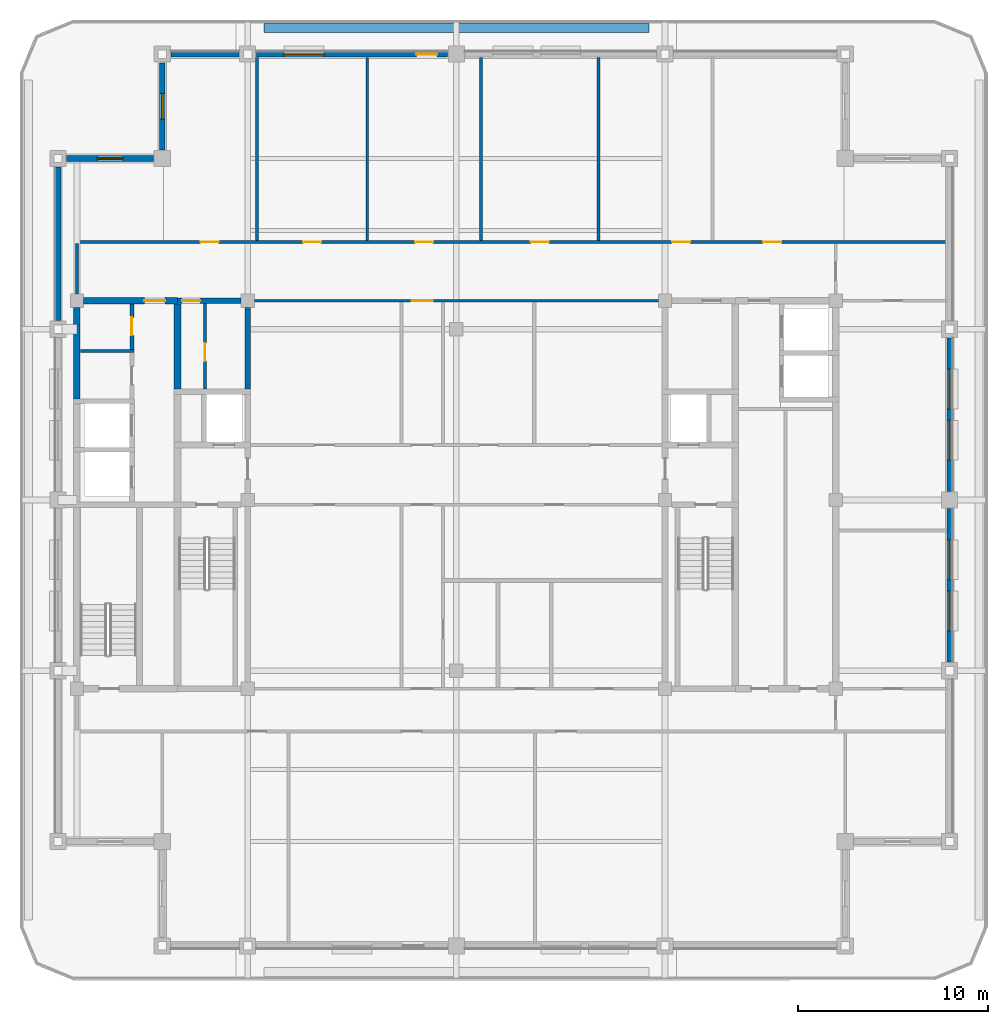
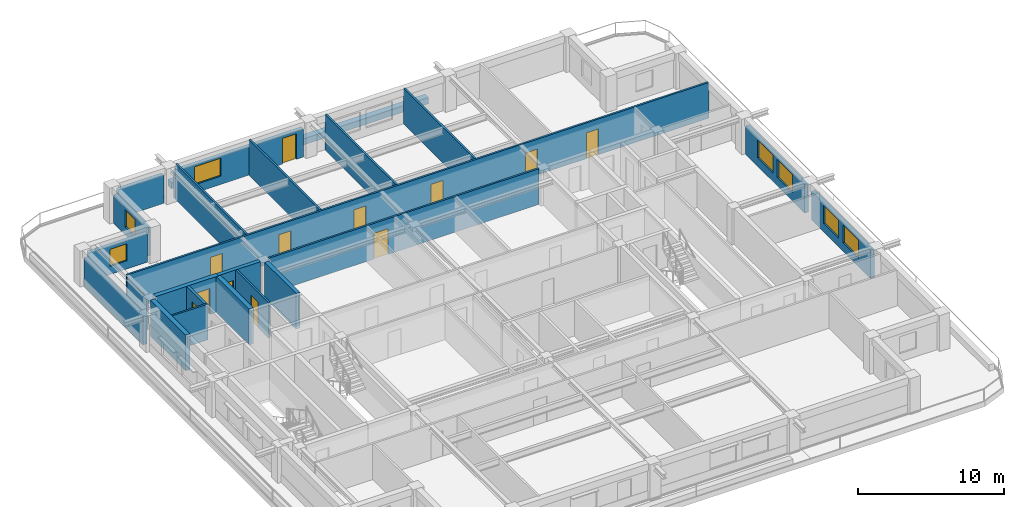
# One storey, part 5 of 11: 23 walls, 12 doors, 7 windows, 19 openings.
"""IFC4 building model written with IfcOpenShell, lengths in metres."""

from ifc_helpers import new_model, si_unit, direction, frame, frame_2d, origin, place, context, subcontext, project, spatial, rectangle, extrude, material, layer, layer_set, type_object, element, fill, save


model = new_model("IFC4")

# Units and contexts
model_context = context("Model", 3, precision=1e-05, world=origin(), true_north=direction((0.0, 1.0)))
body_context = subcontext(model_context, "Body", "Model", "MODEL_VIEW")
ifc_project = project(units=[si_unit("LENGTHUNIT", "METRE"), si_unit("AREAUNIT", "SQUARE_METRE"), si_unit("VOLUMEUNIT", "CUBIC_METRE"), si_unit("PLANEANGLEUNIT", "RADIAN"), si_unit("MASSUNIT", "GRAM", prefix="KILO")], contexts=[model_context])

# Site, building, storey
site_placement = place(None, origin())
site = spatial("IfcSite", under=ifc_project, at=site_placement, CompositionType="ELEMENT")
building_placement = place(site_placement, origin())
building = spatial("IfcBuilding", under=site, at=building_placement, Name="Zulmaris Gate Convention Tower", CompositionType="ELEMENT")
storey_placement = place(building_placement, frame((0.0, 0.0, 239.739990234375)))
storey = spatial("IfcBuildingStorey", under=building, at=storey_placement, Name="L63", CompositionType="ELEMENT", Elevation=239.739990234375)

# Wall, opening, door
ifc_material_1 = material(Name="Concrete C50/60", Category="concrete")
ifc_layer_1 = layer(ifc_material_1, 0.300048828125, Name="Concrete C50/60")
ifc_layer_set_1 = layer_set([ifc_layer_1], Name="Concrete C50/60")
wall_type_1 = type_object("IfcWallType", Name="CORE-300", PredefinedType="SHEAR", material=ifc_layer_set_1)
wall_1_placement = place(storey_placement, frame((-14.699951171875, 10.5, 0.0), z_axis=(0.0, 0.0, 1.0), x_axis=(1.0, 0.0, 0.0)))
wall_1 = element("IfcWall", 1, at=wall_1_placement, inside=storey, type_object=wall_type_1, Name="WL-L63-016", PredefinedType="SHEAR", context=body_context, shape_type="SweptSolid", body=[
    extrude(rectangle(XDim=3.345947265625, YDim=0.300048828125, at=frame_2d((1.6728515625, 0.0))), origin(), (0.0, 0.0, 1.0), 2.97998046875),
])
opening_1_placement = place(wall_1_placement, frame((0.2451171875, 0.0, 0.0)))
opening_1 = element("IfcOpeningElement", 2, at=opening_1_placement, cuts=wall_1, Name="Opening D-11", PredefinedType="OPENING", context=body_context, shape_type="SweptSolid", body=[
    extrude(rectangle(XDim=0.949951171875, YDim=2.14990234375, at=frame_2d((0.47509765625, 1.074951171875))), frame((0.0, 0.16015625, 0.0), z_axis=(0.0, -1.0, 0.0), x_axis=(1.0, 0.0, 0.0)), (0.0, 0.0, 1.0), 0.320068359375),
])
ifc_material_2 = material(Name="Fire-Rated Timber", Category="wood")
door_type_1 = type_object("IfcDoorType", Name="DR-950-FD", OperationType="NOTDEFINED", PredefinedType="DOOR", material=ifc_material_2)
door_1_placement = place(opening_1_placement, origin())
door_1 = element("IfcDoor", 3, at=door_1_placement, inside=storey, type_object=door_type_1, Name="L63 Core Mail Room Door 07", OperationType="SINGLE_SWING_RIGHT", OverallHeight=2.14990234375, OverallWidth=0.949951171875, PredefinedType="DOOR", context=body_context, shape_type="SweptSolid", body=[
    extrude(rectangle(XDim=0.949951171875, YDim=2.14990234375, at=frame_2d((0.47509765625, 1.074951171875))), frame((0.0, 0.02490234375, 0.0), z_axis=(0.0, -1.0, 0.0), x_axis=(1.0, 0.0, 0.0)), (0.0, 0.0, 1.0), 0.050048828125),
])
fill(opening_1, door_1)

# Wall
wall_2_placement = place(storey_placement, frame((-11.0, 5.85205078125, 0.0), z_axis=(0.0, 0.0, 1.0), x_axis=(0.0, 1.0, 0.0)))
element("IfcWall", 4, at=wall_2_placement, inside=storey, type_object=wall_type_1, Name="WL-L63-047", PredefinedType="SHEAR", context=body_context, shape_type="SweptSolid", body=[
    extrude(rectangle(XDim=4.2939453125, YDim=0.300048828125, at=frame_2d((2.14697265625, 0.0))), origin(), (0.0, 0.0, 1.0), 2.97998046875),
])

# Wall, opening, door
ifc_material_3 = material(Name="Concrete C55/67", Category="concrete")
ifc_layer_2 = layer(ifc_material_3, 0.35009765625, Name="Concrete C55/67")
ifc_layer_set_2 = layer_set([ifc_layer_2], Name="Concrete C55/67")
wall_type_2 = type_object("IfcWallType", Name="CORE-350", PredefinedType="SHEAR", material=ifc_layer_set_2)
wall_3_placement = place(storey_placement, frame((-19.64599609375, 10.5, 0.0), z_axis=(0.0, 0.0, 1.0), x_axis=(1.0, 0.0, 0.0)))
wall_3 = element("IfcWall", 5, at=wall_3_placement, inside=storey, type_object=wall_type_2, Name="WL-L63-015", PredefinedType="SHEAR", context=body_context, shape_type="SweptSolid", body=[
    extrude(rectangle(XDim=4.946044921875, YDim=0.35009765625, at=frame_2d((2.47314453125, 0.0))), origin(), (0.0, 0.0, 1.0), 2.97998046875),
])
opening_2_placement = place(wall_3_placement, frame((3.196044921875, 0.0, 0.0)))
opening_2 = element("IfcOpeningElement", 6, at=opening_2_placement, cuts=wall_3, Name="Opening D-08", PredefinedType="OPENING", context=body_context, shape_type="SweptSolid", body=[
    extrude(rectangle(XDim=1.10009765625, YDim=2.14990234375, at=frame_2d((0.550048828125, 1.074951171875))), frame((0.0, 0.18505859375, 0.0), z_axis=(0.0, -1.0, 0.0), x_axis=(1.0, 0.0, 0.0)), (0.0, 0.0, 1.0), 0.3701171875),
])
ifc_material_4 = material(Name="Fire-Rated Steel", Category="steel")
door_type_2 = type_object("IfcDoorType", Name="DR-1100-FD", OperationType="NOTDEFINED", PredefinedType="DOOR", material=ifc_material_4)
door_2_placement = place(opening_2_placement, origin())
door_2 = element("IfcDoor", 7, at=door_2_placement, inside=storey, type_object=door_type_2, Name="L63 High-Rise West Lift Lobby Door 13", OperationType="SINGLE_SWING_RIGHT", OverallHeight=2.14990234375, OverallWidth=1.10009765625, PredefinedType="DOOR", context=body_context, shape_type="SweptSolid", body=[
    extrude(rectangle(XDim=1.10009765625, YDim=2.14990234375, at=frame_2d((0.550048828125, 1.074951171875))), frame((0.0, 0.02490234375, 0.0), z_axis=(0.0, -1.0, 0.0), x_axis=(1.0, 0.0, 0.0)), (0.0, 0.0, 1.0), 0.050048828125),
])
fill(opening_2, door_2)

# Walls
wall_4_placement = place(storey_placement, frame((-20.0, 5.326904296875, 0.0), z_axis=(0.0, 0.0, 1.0), x_axis=(0.0, 1.0, 0.0)))
element("IfcWall", 8, at=wall_4_placement, inside=storey, type_object=wall_type_2, Name="WL-L63-034", PredefinedType="SHEAR", context=body_context, shape_type="SweptSolid", body=[
    extrude(rectangle(XDim=4.819091796875, YDim=0.35009765625, at=frame_2d((2.40966796875, 0.0))), origin(), (0.0, 0.0, 1.0), 2.97998046875),
])
wall_5_placement = place(storey_placement, frame((-14.699951171875, 5.85205078125, 0.0), z_axis=(0.0, 0.0, 1.0), x_axis=(0.0, 1.0, 0.0)))
element("IfcWall", 9, at=wall_5_placement, inside=storey, type_object=wall_type_2, Name="WL-L63-041", PredefinedType="SHEAR", context=body_context, shape_type="SweptSolid", body=[
    extrude(rectangle(XDim=4.470947265625, YDim=0.35009765625, at=frame_2d((2.2353515625, 0.0))), origin(), (0.0, 0.0, 1.0), 2.97998046875),
])
ifc_material_5 = material(Name="Gypsum Metal Stud Partition")
ifc_layer_3 = layer(ifc_material_5, 0.14990234375, Name="Gypsum Metal Stud Partition")
ifc_layer_set_3 = layer_set([ifc_layer_3], Name="Gypsum Metal Stud Partition")
wall_type_3 = type_object("IfcWallType", Name="PART-150", PredefinedType="PARTITIONING", material=ifc_layer_set_3)
wall_6_placement = place(storey_placement, frame((-19.822021484375, 7.85009765625, 0.0), z_axis=(0.0, 0.0, 1.0), x_axis=(1.0, 0.0, 0.0)))
element("IfcWall", 10, at=wall_6_placement, inside=storey, type_object=wall_type_3, Name="WL-L63-027", PredefinedType="PARTITIONING", context=body_context, shape_type="SweptSolid", body=[
    extrude(rectangle(XDim=2.822021484375, YDim=0.14990234375, at=frame_2d((1.4111328125, 0.0))), origin(), (0.0, 0.0, 1.0), 2.97998046875),
])

# Wall, opening, door
wall_7_placement = place(storey_placement, frame((-10.64404296875, 10.5, 0.0), z_axis=(0.0, 0.0, 1.0), x_axis=(1.0, 0.0, 0.0)))
wall_7 = element("IfcWall", 11, at=wall_7_placement, inside=storey, type_object=wall_type_3, Name="WL-L63-028", PredefinedType="PARTITIONING", context=body_context, shape_type="SweptSolid", body=[
    extrude(rectangle(XDim=21.2880859375, YDim=0.14990234375, at=frame_2d((10.64404296875, 0.0))), origin(), (0.0, 0.0, 1.0), 2.97998046875),
])
opening_3_placement = place(wall_7_placement, frame((8.2939453125, 0.0, 0.0)))
opening_3 = element("IfcOpeningElement", 12, at=opening_3_placement, cuts=wall_7, Name="Opening D-08", PredefinedType="OPENING", context=body_context, shape_type="SweptSolid", body=[
    extrude(rectangle(XDim=1.10009765625, YDim=2.14990234375, at=frame_2d((0.550048828125, 1.074951171875))), frame((0.0, 0.0849609375, 0.0), z_axis=(0.0, -1.0, 0.0), x_axis=(1.0, 0.0, 0.0)), (0.0, 0.0, 1.0), 0.169921875),
])
door_3_placement = place(opening_3_placement, origin())
door_3 = element("IfcDoor", 13, at=door_3_placement, inside=storey, type_object=door_type_2, Name="L63 Exec North Link Door 21", OperationType="SINGLE_SWING_RIGHT", OverallHeight=2.14990234375, OverallWidth=1.10009765625, PredefinedType="DOOR", context=body_context, shape_type="SweptSolid", body=[
    extrude(rectangle(XDim=1.10009765625, YDim=2.14990234375, at=frame_2d((0.550048828125, 1.074951171875))), frame((0.0, 0.02490234375, 0.0), z_axis=(0.0, -1.0, 0.0), x_axis=(1.0, 0.0, 0.0)), (0.0, 0.0, 1.0), 0.050048828125),
])
fill(opening_3, door_3)

# Wall, openings, doors
wall_8_placement = place(storey_placement, frame((-20.074951171875, 13.60009765625, 0.0), z_axis=(0.0, 0.0, 1.0), x_axis=(1.0, 0.0, 0.0)))
wall_8 = element("IfcWall", 14, at=wall_8_placement, inside=storey, type_object=wall_type_3, Name="WL-L63-030", PredefinedType="PARTITIONING", context=body_context, shape_type="SweptSolid", body=[
    extrude(rectangle(XDim=45.909912109375, YDim=0.14990234375, at=frame_2d((22.955078125, 0.0))), origin(), (0.0, 0.0, 1.0), 2.97998046875),
])
opening_4_placement = place(wall_8_placement, frame((6.60009765625, 0.0, 0.0)))
opening_4 = element("IfcOpeningElement", 15, at=opening_4_placement, cuts=wall_8, Name="Opening D-11", PredefinedType="OPENING", context=body_context, shape_type="SweptSolid", body=[
    extrude(rectangle(XDim=0.949951171875, YDim=2.14990234375, at=frame_2d((0.47509765625, 1.074951171875))), frame((0.0, 0.0849609375, 0.0), z_axis=(0.0, -1.0, 0.0), x_axis=(1.0, 0.0, 0.0)), (0.0, 0.0, 1.0), 0.169921875),
])
opening_5_placement = place(wall_8_placement, frame((12.0, 0.0, 0.0)))
opening_5 = element("IfcOpeningElement", 16, at=opening_5_placement, cuts=wall_8, Name="Opening D-11", PredefinedType="OPENING", context=body_context, shape_type="SweptSolid", body=[
    extrude(rectangle(XDim=0.949951171875, YDim=2.14990234375, at=frame_2d((0.47509765625, 1.074951171875))), frame((0.0, 0.0849609375, 0.0), z_axis=(0.0, -1.0, 0.0), x_axis=(1.0, 0.0, 0.0)), (0.0, 0.0, 1.0), 0.169921875),
])
opening_6_placement = place(wall_8_placement, frame((17.89990234375, 0.0, 0.0)))
opening_6 = element("IfcOpeningElement", 17, at=opening_6_placement, cuts=wall_8, Name="Opening D-11", PredefinedType="OPENING", context=body_context, shape_type="SweptSolid", body=[
    extrude(rectangle(XDim=0.949951171875, YDim=2.14990234375, at=frame_2d((0.47509765625, 1.074951171875))), frame((0.0, 0.0849609375, 0.0), z_axis=(0.0, -1.0, 0.0), x_axis=(1.0, 0.0, 0.0)), (0.0, 0.0, 1.0), 0.169921875),
])
opening_7_placement = place(wall_8_placement, frame((24.0, 0.0, 0.0)))
opening_7 = element("IfcOpeningElement", 18, at=opening_7_placement, cuts=wall_8, Name="Opening D-11", PredefinedType="OPENING", context=body_context, shape_type="SweptSolid", body=[
    extrude(rectangle(XDim=0.949951171875, YDim=2.14990234375, at=frame_2d((0.47509765625, 1.074951171875))), frame((0.0, 0.0849609375, 0.0), z_axis=(0.0, -1.0, 0.0), x_axis=(1.0, 0.0, 0.0)), (0.0, 0.0, 1.0), 0.169921875),
])
opening_8_placement = place(wall_8_placement, frame((31.449951171875, 0.0, 0.0)))
opening_8 = element("IfcOpeningElement", 19, at=opening_8_placement, cuts=wall_8, Name="Opening D-11", PredefinedType="OPENING", context=body_context, shape_type="SweptSolid", body=[
    extrude(rectangle(XDim=0.949951171875, YDim=2.14990234375, at=frame_2d((0.47509765625, 1.074951171875))), frame((0.0, 0.0849609375, 0.0), z_axis=(0.0, -1.0, 0.0), x_axis=(1.0, 0.0, 0.0)), (0.0, 0.0, 1.0), 0.169921875),
])
opening_9_placement = place(wall_8_placement, frame((36.25, 0.0, 0.0)))
opening_9 = element("IfcOpeningElement", 20, at=opening_9_placement, cuts=wall_8, Name="Opening D-11", PredefinedType="OPENING", context=body_context, shape_type="SweptSolid", body=[
    extrude(rectangle(XDim=0.949951171875, YDim=2.14990234375, at=frame_2d((0.47509765625, 1.074951171875))), frame((0.0, 0.0849609375, 0.0), z_axis=(0.0, -1.0, 0.0), x_axis=(1.0, 0.0, 0.0)), (0.0, 0.0, 1.0), 0.169921875),
])
door_4_placement = place(opening_4_placement, origin())
door_4 = element("IfcDoor", 21, at=door_4_placement, inside=storey, type_object=door_type_1, Name="L63 Delegate Business Lounge Door 25", OperationType="SINGLE_SWING_RIGHT", OverallHeight=2.14990234375, OverallWidth=0.949951171875, PredefinedType="DOOR", context=body_context, shape_type="SweptSolid", body=[
    extrude(rectangle(XDim=0.949951171875, YDim=2.14990234375, at=frame_2d((0.47509765625, 1.074951171875))), frame((0.0, 0.02490234375, 0.0), z_axis=(0.0, -1.0, 0.0), x_axis=(1.0, 0.0, 0.0)), (0.0, 0.0, 1.0), 0.050048828125),
])
fill(opening_4, door_4)
door_5_placement = place(opening_5_placement, origin())
door_5 = element("IfcDoor", 22, at=door_5_placement, inside=storey, type_object=door_type_1, Name="L63 Commercial Advisory Office Door 26", OperationType="SINGLE_SWING_LEFT", OverallHeight=2.14990234375, OverallWidth=0.949951171875, PredefinedType="DOOR", context=body_context, shape_type="SweptSolid", body=[
    extrude(rectangle(XDim=0.949951171875, YDim=2.14990234375, at=frame_2d((0.47509765625, 1.074951171875))), frame((0.0, 0.02490234375, 0.0), z_axis=(0.0, -1.0, 0.0), x_axis=(1.0, 0.0, 0.0)), (0.0, 0.0, 1.0), 0.050048828125),
])
fill(opening_5, door_5)
door_6_placement = place(opening_6_placement, origin())
door_6 = element("IfcDoor", 23, at=door_6_placement, inside=storey, type_object=door_type_1, Name="L63 Regional Corporate Office Door 27", OperationType="SINGLE_SWING_RIGHT", OverallHeight=2.14990234375, OverallWidth=0.949951171875, PredefinedType="DOOR", context=body_context, shape_type="SweptSolid", body=[
    extrude(rectangle(XDim=0.949951171875, YDim=2.14990234375, at=frame_2d((0.47509765625, 1.074951171875))), frame((0.0, 0.02490234375, 0.0), z_axis=(0.0, -1.0, 0.0), x_axis=(1.0, 0.0, 0.0)), (0.0, 0.0, 1.0), 0.050048828125),
])
fill(opening_6, door_6)
door_7_placement = place(opening_7_placement, origin())
door_7 = element("IfcDoor", 24, at=door_7_placement, inside=storey, type_object=door_type_1, Name="L63 Client Practice Studio Door 28", OperationType="SINGLE_SWING_LEFT", OverallHeight=2.14990234375, OverallWidth=0.949951171875, PredefinedType="DOOR", context=body_context, shape_type="SweptSolid", body=[
    extrude(rectangle(XDim=0.949951171875, YDim=2.14990234375, at=frame_2d((0.47509765625, 1.074951171875))), frame((0.0, 0.02490234375, 0.0), z_axis=(0.0, -1.0, 0.0), x_axis=(1.0, 0.0, 0.0)), (0.0, 0.0, 1.0), 0.050048828125),
])
fill(opening_7, door_7)
door_8_placement = place(opening_8_placement, origin())
door_8 = element("IfcDoor", 25, at=door_8_placement, inside=storey, type_object=door_type_1, Name="L63 Delegate Business Lounge Door 29", OperationType="SINGLE_SWING_RIGHT", OverallHeight=2.14990234375, OverallWidth=0.949951171875, PredefinedType="DOOR", context=body_context, shape_type="SweptSolid", body=[
    extrude(rectangle(XDim=0.949951171875, YDim=2.14990234375, at=frame_2d((0.47509765625, 1.074951171875))), frame((0.0, 0.02490234375, 0.0), z_axis=(0.0, -1.0, 0.0), x_axis=(1.0, 0.0, 0.0)), (0.0, 0.0, 1.0), 0.050048828125),
])
fill(opening_8, door_8)
door_9_placement = place(opening_9_placement, origin())
door_9 = element("IfcDoor", 26, at=door_9_placement, inside=storey, type_object=door_type_1, Name="L63 Commercial Advisory Office Door 30", OperationType="SINGLE_SWING_LEFT", OverallHeight=2.14990234375, OverallWidth=0.949951171875, PredefinedType="DOOR", context=body_context, shape_type="SweptSolid", body=[
    extrude(rectangle(XDim=0.949951171875, YDim=2.14990234375, at=frame_2d((0.47509765625, 1.074951171875))), frame((0.0, 0.02490234375, 0.0), z_axis=(0.0, -1.0, 0.0), x_axis=(1.0, 0.0, 0.0)), (0.0, 0.0, 1.0), 0.050048828125),
])
fill(opening_9, door_9)

# Wall
wall_9_placement = place(storey_placement, frame((-20.0, 10.85595703125, 0.0), z_axis=(0.0, 0.0, 1.0), x_axis=(0.0, 1.0, 0.0)))
element("IfcWall", 27, at=wall_9_placement, inside=storey, type_object=wall_type_3, Name="WL-L63-064", PredefinedType="PARTITIONING", context=body_context, shape_type="SweptSolid", body=[
    extrude(rectangle(XDim=2.666015625, YDim=0.14990234375, at=frame_2d((1.3330078125, 0.0))), origin(), (0.0, 0.0, 1.0), 2.570068359375),
])

# Wall, opening, door
wall_10_placement = place(storey_placement, frame((-13.25, 5.85302734375, 0.0), z_axis=(0.0, 0.0, 1.0), x_axis=(0.0, 1.0, 0.0)))
wall_10 = element("IfcWall", 28, at=wall_10_placement, inside=storey, type_object=wall_type_3, Name="WL-L63-068", PredefinedType="PARTITIONING", context=body_context, shape_type="SweptSolid", body=[
    extrude(rectangle(XDim=4.493896484375, YDim=0.14990234375, at=frame_2d((2.2470703125, 0.0))), origin(), (0.0, 0.0, 1.0), 2.97998046875),
])
opening_10_placement = place(wall_10_placement, frame((1.471923828125, 0.0, 0.0)))
opening_10 = element("IfcOpeningElement", 29, at=opening_10_placement, cuts=wall_10, Name="Opening D-11", PredefinedType="OPENING", context=body_context, shape_type="SweptSolid", body=[
    extrude(rectangle(XDim=0.949951171875, YDim=2.14990234375, at=frame_2d((0.47509765625, 1.074951171875))), frame((0.0, 0.0849609375, 0.0), z_axis=(0.0, -1.0, 0.0), x_axis=(1.0, 0.0, 0.0)), (0.0, 0.0, 1.0), 0.169921875),
])
door_10_placement = place(opening_10_placement, origin())
door_10 = element("IfcDoor", 30, at=door_10_placement, inside=storey, type_object=door_type_1, Name="L63 Core Janitor Door 08", OperationType="SINGLE_SWING_LEFT", OverallHeight=2.14990234375, OverallWidth=0.949951171875, PredefinedType="DOOR", context=body_context, shape_type="SweptSolid", body=[
    extrude(rectangle(XDim=0.949951171875, YDim=2.14990234375, at=frame_2d((0.47509765625, 1.074951171875))), frame((0.0, 0.02490234375, 0.0), z_axis=(0.0, -1.0, 0.0), x_axis=(1.0, 0.0, 0.0)), (0.0, 0.0, 1.0), 0.050048828125),
])
fill(opening_10, door_10)

# Walls
for number, where, z_axis, x_axis, name in (
    (31, (-10.5, 13.677978515625, 0.0), (0.0, 0.0, 1.0), (0.0, 1.0, 0.0), "WL-L63-069"),
    (32, (-4.699951171875, 13.677978515625, 0.0), (0.0, 0.0, 1.0), (0.0, 1.0, 0.0), "WL-L63-071"),
    (33, (1.300048828125, 13.677978515625, 0.0), (0.0, 0.0, 1.0), (0.0, 1.0, 0.0), "WL-L63-077"),
    (34, (7.5, 13.677978515625, 0.0), (0.0, 0.0, 1.0), (0.0, 1.0, 0.0), "WL-L63-082"),
):
    element("IfcWall", number, at=place(storey_placement, frame(where, z_axis=z_axis, x_axis=x_axis)), inside=storey, type_object=wall_type_3, Name=name, PredefinedType="PARTITIONING", context=body_context, shape_type="SweptSolid", body=[
        extrude(rectangle(XDim=9.656982421875, YDim=0.14990234375, at=frame_2d((4.82861328125, 0.0))), origin(), (0.0, 0.0, 1.0), 2.97998046875),
    ])

# Wall, opening, door
ifc_material_6 = material(Name="Autoclaved Aerated Concrete Block and Plasterboard", Category="concrete")
ifc_layer_4 = layer(ifc_material_6, 0.199951171875, Name="Autoclaved Aerated Concrete Block and Plasterboard")
ifc_layer_set_4 = layer_set([ifc_layer_4], Name="Autoclaved Aerated Concrete Block and Plasterboard")
wall_type_4 = type_object("IfcWallType", Name="PART-200", PredefinedType="PARTITIONING", material=ifc_layer_set_4)
wall_11_placement = place(storey_placement, frame((-17.10009765625, 7.927978515625, 0.0), z_axis=(0.0, 0.0, 1.0), x_axis=(0.0, 1.0, 0.0)))
wall_11 = element("IfcWall", 35, at=wall_11_placement, inside=storey, type_object=wall_type_4, Name="WL-L63-066", PredefinedType="PARTITIONING", context=body_context, shape_type="SweptSolid", body=[
    extrude(rectangle(XDim=2.39404296875, YDim=0.199951171875, at=frame_2d((1.197021484375, 0.0))), origin(), (0.0, 0.0, 1.0), 2.97998046875),
])
opening_11_placement = place(wall_11_placement, frame((0.7470703125, 0.0, 0.0)))
opening_11 = element("IfcOpeningElement", 36, at=opening_11_placement, cuts=wall_11, Name="Opening D-11", PredefinedType="OPENING", context=body_context, shape_type="SweptSolid", body=[
    extrude(rectangle(XDim=0.949951171875, YDim=2.14990234375, at=frame_2d((0.47509765625, 1.074951171875))), frame((0.0, 0.10986328125, 0.0), z_axis=(0.0, -1.0, 0.0), x_axis=(1.0, 0.0, 0.0)), (0.0, 0.0, 1.0), 0.219970703125),
])
door_11_placement = place(opening_11_placement, origin())
door_11 = element("IfcDoor", 37, at=door_11_placement, inside=storey, type_object=door_type_1, Name="L63 Housekeeping Door 14", OperationType="SINGLE_SWING_LEFT", OverallHeight=2.14990234375, OverallWidth=0.949951171875, PredefinedType="DOOR", context=body_context, shape_type="SweptSolid", body=[
    extrude(rectangle(XDim=0.949951171875, YDim=2.14990234375, at=frame_2d((0.47509765625, 1.074951171875))), frame((0.0, 0.02490234375, 0.0), z_axis=(0.0, -1.0, 0.0), x_axis=(1.0, 0.0, 0.0)), (0.0, 0.0, 1.0), 0.050048828125),
])
fill(opening_11, door_11)

# Wall
ifc_material_7 = material(Name="Botanical Green Glazed Precast Concrete C40/50", Category="concrete")
ifc_layer_5 = layer(ifc_material_7, 0.419921875, Name="Botanical Green Glazed Precast Concrete C40/50")
ifc_layer_set_5 = layer_set([ifc_layer_5], Name="Botanical Green Glazed Precast Concrete C40/50")
wall_type_5 = type_object("IfcWallType", Name="PLANTER-CURB-200", PredefinedType="PARAPET", material=ifc_layer_set_5)
wall_12_placement = place(storey_placement, frame((-10.14990234375, 24.8798828125, -0.0400390625), z_axis=(0.0, 0.0, 1.0), x_axis=(1.0, 0.0, 0.0)))
element("IfcWall", 38, at=wall_12_placement, inside=storey, type_object=wall_type_5, Name="L63 Full-Length Balcony Tree Planter Trough", PredefinedType="PARAPET", context=body_context, shape_type="SweptSolid", body=[
    extrude(rectangle(XDim=20.2998046875, YDim=0.47998046875, at=frame_2d((10.14990234375, 0.0))), origin(), (0.0, 0.0, 1.0), 0.52001953125),
])

# Wall, opening, window
ifc_material_8 = material(Name="Precast concrete C40/50", Category="concrete")
ifc_layer_6 = layer(ifc_material_8, 0.300048828125, Name="Precast concrete C40/50")
ifc_layer_set_6 = layer_set([ifc_layer_6], Name="Precast concrete C40/50")
wall_type_6 = type_object("IfcWallType", Name="PRECAST-PIER-300", PredefinedType="STANDARD", material=ifc_layer_set_6)
wall_13_placement = place(storey_placement, frame((-15.5, 23.044921875, 0.0), z_axis=(0.0, 0.0, 1.0), x_axis=(0.0, -1.0, 0.0)))
wall_13 = element("IfcWall", 39, at=wall_13_placement, inside=storey, type_object=wall_type_6, Name="EW-L63-NOTCH-NW1_0", PredefinedType="STANDARD", context=body_context, shape_type="SweptSolid", body=[
    extrude(rectangle(XDim=4.58984375, YDim=0.300048828125, at=frame_2d((2.294921875, 0.0))), origin(), (0.0, 0.0, 1.0), 2.3720703125),
])
opening_12_placement = place(wall_13_placement, frame((1.6201171875, 0.0, 0.679931640625)))
opening_12 = element("IfcOpeningElement", 40, at=opening_12_placement, cuts=wall_13, Name="Opening W-10", PredefinedType="OPENING", context=body_context, shape_type="SweptSolid", body=[
    extrude(rectangle(XDim=1.35009765625, YDim=1.419921875, at=frame_2d((0.675048828125, 0.7099609375))), frame((0.0, 0.16015625, 0.0), z_axis=(0.0, -1.0, 0.0), x_axis=(1.0, 0.0, 0.0)), (0.0, 0.0, 1.0), 0.320068359375),
])
ifc_material_9 = material(Name="Low-E Laminated Double Glazing in Aluminium Frame", Category="aluminium")
window_type_1 = type_object("IfcWindowType", Name="WIN-1350x2000", PartitioningType="SINGLE_PANEL", PredefinedType="WINDOW", material=ifc_material_9)
window_1_placement = place(opening_12_placement, origin())
window_1 = element("IfcWindow", 41, at=window_1_placement, inside=storey, type_object=window_type_1, Name="WN-EW-L63-NOTCH-NW1_0", OverallHeight=1.419921875, OverallWidth=1.35009765625, PartitioningType="SINGLE_PANEL", PredefinedType="WINDOW", context=body_context, shape_type="SweptSolid", body=[
    extrude(rectangle(XDim=1.35009765625, YDim=1.419921875, at=frame_2d((0.675048828125, 0.7099609375))), frame((0.0, 0.030029296875, 0.0), z_axis=(0.0, -1.0, 0.0), x_axis=(1.0, 0.0, 0.0)), (0.0, 0.0, 1.0), 0.06005859375),
])
fill(opening_12, window_1)

wall_14_placement = place(storey_placement, frame((-15.955078125, 18.0, 0.0), z_axis=(0.0, 0.0, 1.0), x_axis=(-1.0, 0.0, 0.0)))
wall_14 = element("IfcWall", 42, at=wall_14_placement, inside=storey, type_object=wall_type_6, Name="EW-L63-NOTCH-NW2_0", PredefinedType="STANDARD", context=body_context, shape_type="SweptSolid", body=[
    extrude(rectangle(XDim=4.58984375, YDim=0.300048828125, at=frame_2d((2.294921875, 0.0))), origin(), (0.0, 0.0, 1.0), 2.3720703125),
])
opening_13_placement = place(wall_14_placement, frame((1.6201171875, 0.0, 0.679931640625)))
opening_13 = element("IfcOpeningElement", 43, at=opening_13_placement, cuts=wall_14, Name="Opening W-10", PredefinedType="OPENING", context=body_context, shape_type="SweptSolid", body=[
    extrude(rectangle(XDim=1.35009765625, YDim=1.419921875, at=frame_2d((0.675048828125, 0.7099609375))), frame((0.0, 0.16015625, 0.0), z_axis=(0.0, -1.0, 0.0), x_axis=(1.0, 0.0, 0.0)), (0.0, 0.0, 1.0), 0.320068359375),
])
window_2_placement = place(opening_13_placement, origin())
window_2 = element("IfcWindow", 44, at=window_2_placement, inside=storey, type_object=window_type_1, Name="WN-EW-L63-NOTCH-NW2_0", OverallHeight=1.419921875, OverallWidth=1.35009765625, PartitioningType="SINGLE_PANEL", PredefinedType="WINDOW", context=body_context, shape_type="SweptSolid", body=[
    extrude(rectangle(XDim=1.35009765625, YDim=1.419921875, at=frame_2d((0.675048828125, 0.7099609375))), frame((0.0, 0.030029296875, 0.0), z_axis=(0.0, -1.0, 0.0), x_axis=(1.0, 0.0, 0.0)), (0.0, 0.0, 1.0), 0.06005859375),
])
fill(opening_13, window_2)

# Wall
wall_15_placement = place(storey_placement, frame((-11.455078125, 23.5, 0.0), z_axis=(0.0, 0.0, 1.0), x_axis=(-1.0, 0.0, 0.0)))
element("IfcWall", 45, at=wall_15_placement, inside=storey, type_object=wall_type_6, Name="EW-L63-N-0_0", PredefinedType="STANDARD", context=body_context, shape_type="SweptSolid", body=[
    extrude(rectangle(XDim=3.58984375, YDim=0.300048828125, at=frame_2d((1.794921875, 0.0))), origin(), (0.0, 0.0, 1.0), 2.3720703125),
])

# Wall, openings, door, window
wall_16_placement = place(storey_placement, frame((-0.455078125, 23.5, 0.0), z_axis=(0.0, 0.0, 1.0), x_axis=(-1.0, 0.0, 0.0)))
wall_16 = element("IfcWall", 46, at=wall_16_placement, inside=storey, type_object=wall_type_6, Name="EW-L63-N-1_0", PredefinedType="STANDARD", context=body_context, shape_type="SweptSolid", body=[
    extrude(rectangle(XDim=10.08984375, YDim=0.300048828125, at=frame_2d((5.044921875, 0.0))), origin(), (0.0, 0.0, 1.0), 2.3720703125),
])
opening_14_placement = place(wall_16_placement, frame((0.55810546875, 0.0, 0.0)))
opening_14 = element("IfcOpeningElement", 47, at=opening_14_placement, cuts=wall_16, Name="Opening D-04", PredefinedType="OPENING", context=body_context, shape_type="SweptSolid", body=[
    extrude(rectangle(XDim=1.10009765625, YDim=2.14990234375, at=frame_2d((0.550048828125, 1.074951171875))), frame((0.0, 0.16015625, 0.0), z_axis=(0.0, -1.0, 0.0), x_axis=(1.0, 0.0, 0.0)), (0.0, 0.0, 1.0), 0.320068359375),
])
opening_15_placement = place(wall_16_placement, frame((6.51806640625, 0.0, 0.699951171875)))
opening_15 = element("IfcOpeningElement", 48, at=opening_15_placement, cuts=wall_16, Name="Opening W-05", PredefinedType="OPENING", context=body_context, shape_type="SweptSolid", body=[
    extrude(rectangle(XDim=2.10009765625, YDim=1.5, at=frame_2d((1.050048828125, 0.75))), frame((0.0, 0.16015625, 0.0), z_axis=(0.0, -1.0, 0.0), x_axis=(1.0, 0.0, 0.0)), (0.0, 0.0, 1.0), 0.320068359375),
])
ifc_material_10 = material(Name="Anodised Aluminium and Laminated Glass", Category="aluminium")
door_type_3 = type_object("IfcDoorType", Name="ED-1100", OperationType="SINGLE_SWING_RIGHT", PredefinedType="DOOR", material=ifc_material_10)
door_12_placement = place(opening_14_placement, origin())
door_12 = element("IfcDoor", 49, at=door_12_placement, inside=storey, type_object=door_type_3, Name="L63 N Planted Terrace Door", OperationType="SINGLE_SWING_LEFT", OverallHeight=2.14990234375, OverallWidth=1.10009765625, PredefinedType="DOOR", context=body_context, shape_type="SweptSolid", body=[
    extrude(rectangle(XDim=1.10009765625, YDim=2.14990234375, at=frame_2d((0.550048828125, 1.074951171875))), frame((0.0, 0.02490234375, 0.0), z_axis=(0.0, -1.0, 0.0), x_axis=(1.0, 0.0, 0.0)), (0.0, 0.0, 1.0), 0.050048828125),
])
fill(opening_14, door_12)
window_type_2 = type_object("IfcWindowType", Name="WIN-2100x2400", PartitioningType="SINGLE_PANEL", PredefinedType="WINDOW", material=ifc_material_9)
window_3_placement = place(opening_15_placement, origin())
window_3 = element("IfcWindow", 50, at=window_3_placement, inside=storey, type_object=window_type_2, Name="WN-EW-L63-N-1_0-3", OverallHeight=1.5, OverallWidth=2.10009765625, PartitioningType="SINGLE_PANEL", PredefinedType="WINDOW", context=body_context, shape_type="SweptSolid", body=[
    extrude(rectangle(XDim=2.10009765625, YDim=1.5, at=frame_2d((1.050048828125, 0.75))), frame((0.0, 0.030029296875, 0.0), z_axis=(0.0, -1.0, 0.0), x_axis=(1.0, 0.0, 0.0)), (0.0, 0.0, 1.0), 0.06005859375),
])
fill(opening_15, window_3)

# Wall, openings, windows
wall_17_placement = place(storey_placement, frame((26.0, -8.544921875, 0.0), z_axis=(0.0, 0.0, 1.0), x_axis=(0.0, 1.0, 0.0)))
wall_17 = element("IfcWall", 51, at=wall_17_placement, inside=storey, type_object=wall_type_6, Name="EW-L63-E-1_0", PredefinedType="STANDARD", context=body_context, shape_type="SweptSolid", body=[
    extrude(rectangle(XDim=8.08984375, YDim=0.300048828125, at=frame_2d((4.044921875, 0.0))), origin(), (0.0, 0.0, 1.0), 2.3720703125),
])
opening_16_placement = place(wall_17_placement, frame((1.64697265625, 0.0, 0.699951171875)))
opening_16 = element("IfcOpeningElement", 52, at=opening_16_placement, cuts=wall_17, Name="Opening W-05", PredefinedType="OPENING", context=body_context, shape_type="SweptSolid", body=[
    extrude(rectangle(XDim=2.10009765625, YDim=1.5, at=frame_2d((1.050048828125, 0.75))), frame((0.0, 0.16015625, 0.0), z_axis=(0.0, -1.0, 0.0), x_axis=(1.0, 0.0, 0.0)), (0.0, 0.0, 1.0), 0.320068359375),
])
opening_17_placement = place(wall_17_placement, frame((4.343017578125, 0.0, 0.699951171875)))
opening_17 = element("IfcOpeningElement", 53, at=opening_17_placement, cuts=wall_17, Name="Opening W-05", PredefinedType="OPENING", context=body_context, shape_type="SweptSolid", body=[
    extrude(rectangle(XDim=2.10009765625, YDim=1.5, at=frame_2d((1.050048828125, 0.75))), frame((0.0, 0.16015625, 0.0), z_axis=(0.0, -1.0, 0.0), x_axis=(1.0, 0.0, 0.0)), (0.0, 0.0, 1.0), 0.320068359375),
])
window_4_placement = place(opening_16_placement, origin())
window_4 = element("IfcWindow", 54, at=window_4_placement, inside=storey, type_object=window_type_2, Name="WN-EW-L63-E-1_0-1", OverallHeight=1.5, OverallWidth=2.10009765625, PartitioningType="SINGLE_PANEL", PredefinedType="WINDOW", context=body_context, shape_type="SweptSolid", body=[
    extrude(rectangle(XDim=2.10009765625, YDim=1.5, at=frame_2d((1.050048828125, 0.75))), frame((0.0, 0.030029296875, 0.0), z_axis=(0.0, -1.0, 0.0), x_axis=(1.0, 0.0, 0.0)), (0.0, 0.0, 1.0), 0.06005859375),
])
fill(opening_16, window_4)
window_5_placement = place(opening_17_placement, origin())
window_5 = element("IfcWindow", 55, at=window_5_placement, inside=storey, type_object=window_type_2, Name="WN-EW-L63-E-1_0-2", OverallHeight=1.5, OverallWidth=2.10009765625, PartitioningType="SINGLE_PANEL", PredefinedType="WINDOW", context=body_context, shape_type="SweptSolid", body=[
    extrude(rectangle(XDim=2.10009765625, YDim=1.5, at=frame_2d((1.050048828125, 0.75))), frame((0.0, 0.030029296875, 0.0), z_axis=(0.0, -1.0, 0.0), x_axis=(1.0, 0.0, 0.0)), (0.0, 0.0, 1.0), 0.06005859375),
])
fill(opening_17, window_5)

wall_18_placement = place(storey_placement, frame((26.0, 0.455078125, 0.0), z_axis=(0.0, 0.0, 1.0), x_axis=(0.0, 1.0, 0.0)))
wall_18 = element("IfcWall", 56, at=wall_18_placement, inside=storey, type_object=wall_type_6, Name="EW-L63-E-2_0", PredefinedType="STANDARD", context=body_context, shape_type="SweptSolid", body=[
    extrude(rectangle(XDim=8.08984375, YDim=0.300048828125, at=frame_2d((4.044921875, 0.0))), origin(), (0.0, 0.0, 1.0), 2.3720703125),
])
opening_18_placement = place(wall_18_placement, frame((1.64697265625, 0.0, 0.699951171875)))
opening_18 = element("IfcOpeningElement", 57, at=opening_18_placement, cuts=wall_18, Name="Opening W-05", PredefinedType="OPENING", context=body_context, shape_type="SweptSolid", body=[
    extrude(rectangle(XDim=2.10009765625, YDim=1.5, at=frame_2d((1.050048828125, 0.75))), frame((0.0, 0.16015625, 0.0), z_axis=(0.0, -1.0, 0.0), x_axis=(1.0, 0.0, 0.0)), (0.0, 0.0, 1.0), 0.320068359375),
])
opening_19_placement = place(wall_18_placement, frame((4.343017578125, 0.0, 0.699951171875)))
opening_19 = element("IfcOpeningElement", 58, at=opening_19_placement, cuts=wall_18, Name="Opening W-05", PredefinedType="OPENING", context=body_context, shape_type="SweptSolid", body=[
    extrude(rectangle(XDim=2.10009765625, YDim=1.5, at=frame_2d((1.050048828125, 0.75))), frame((0.0, 0.16015625, 0.0), z_axis=(0.0, -1.0, 0.0), x_axis=(1.0, 0.0, 0.0)), (0.0, 0.0, 1.0), 0.320068359375),
])
window_6_placement = place(opening_18_placement, origin())
window_6 = element("IfcWindow", 59, at=window_6_placement, inside=storey, type_object=window_type_2, Name="WN-EW-L63-E-2_0-1", OverallHeight=1.5, OverallWidth=2.10009765625, PartitioningType="SINGLE_PANEL", PredefinedType="WINDOW", context=body_context, shape_type="SweptSolid", body=[
    extrude(rectangle(XDim=2.10009765625, YDim=1.5, at=frame_2d((1.050048828125, 0.75))), frame((0.0, 0.030029296875, 0.0), z_axis=(0.0, -1.0, 0.0), x_axis=(1.0, 0.0, 0.0)), (0.0, 0.0, 1.0), 0.06005859375),
])
fill(opening_18, window_6)
window_7_placement = place(opening_19_placement, origin())
window_7 = element("IfcWindow", 60, at=window_7_placement, inside=storey, type_object=window_type_2, Name="WN-EW-L63-E-2_0-2", OverallHeight=1.5, OverallWidth=2.10009765625, PartitioningType="SINGLE_PANEL", PredefinedType="WINDOW", context=body_context, shape_type="SweptSolid", body=[
    extrude(rectangle(XDim=2.10009765625, YDim=1.5, at=frame_2d((1.050048828125, 0.75))), frame((0.0, 0.030029296875, 0.0), z_axis=(0.0, -1.0, 0.0), x_axis=(1.0, 0.0, 0.0)), (0.0, 0.0, 1.0), 0.06005859375),
])
fill(opening_19, window_7)

# Wall
wall_19_placement = place(storey_placement, frame((-21.0, 17.544921875, 0.0), z_axis=(0.0, 0.0, 1.0), x_axis=(0.0, -1.0, 0.0)))
element("IfcWall", 61, at=wall_19_placement, inside=storey, type_object=wall_type_6, Name="EW-L63-W-3_0", PredefinedType="STANDARD", context=body_context, shape_type="SweptSolid", body=[
    extrude(rectangle(XDim=8.08984375, YDim=0.300048828125, at=frame_2d((4.044921875, 0.0))), origin(), (0.0, 0.0, 1.0), 2.3720703125),
])

save(model, "model.ifc")
